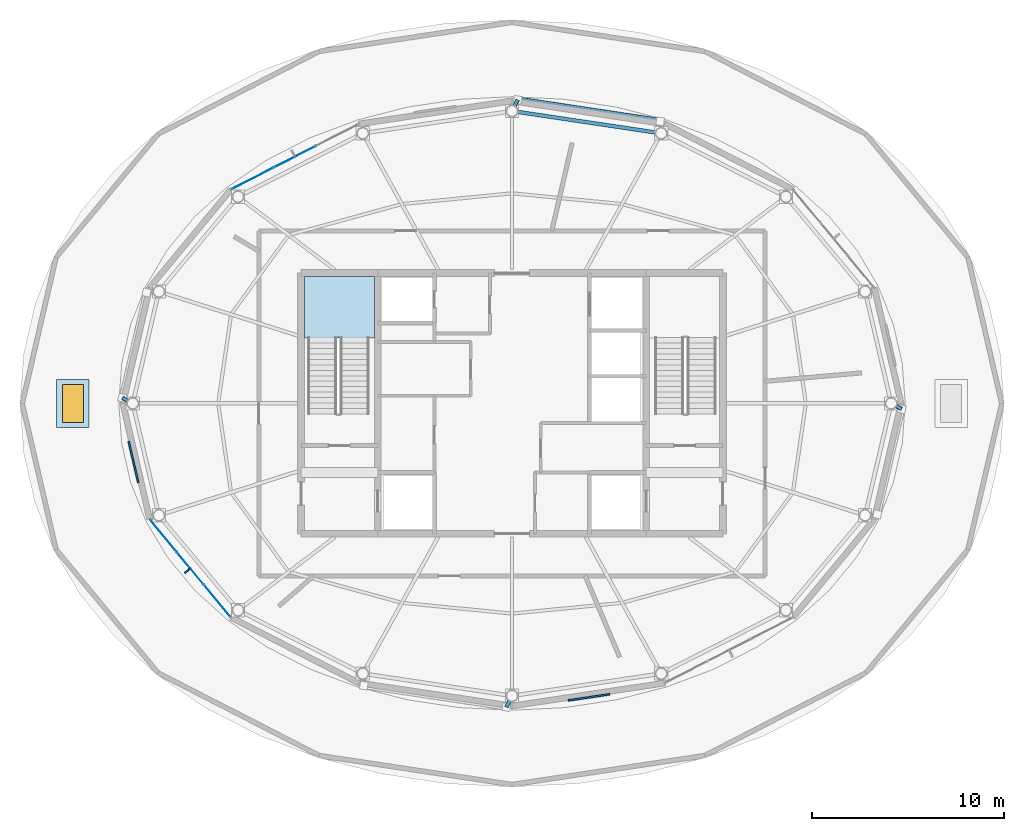
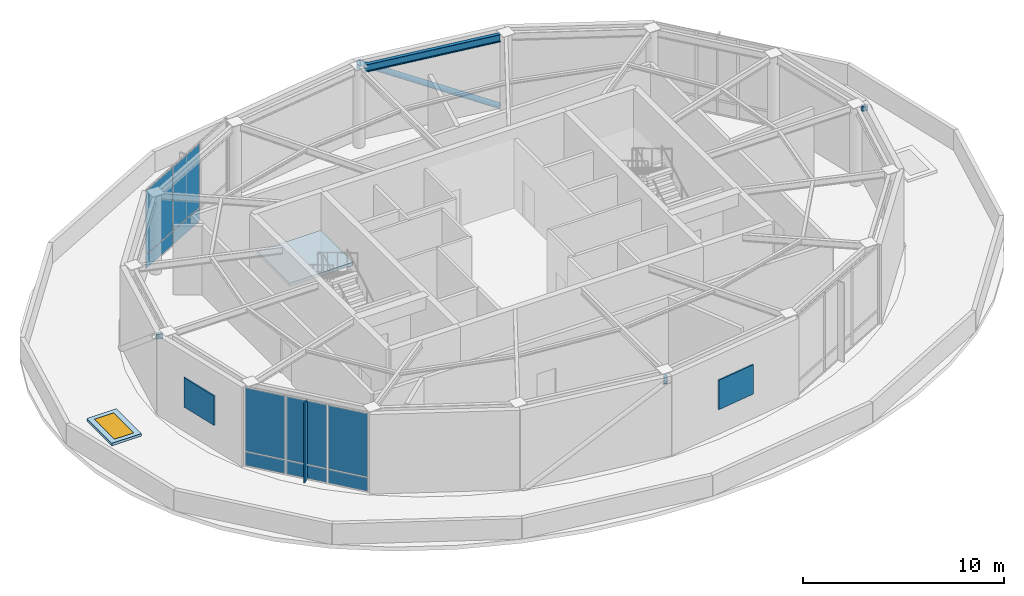
# One storey, part 10 of 15: 13 plates, 5 members, 2 slabs, 1 beam, 1 door, 1 opening, 3 elements without a shape of their own.
"""IFC4 building model written with IfcOpenShell, lengths in metres."""

from ifc_helpers import new_model, si_unit, direction, frame, origin, origin_2d, place, context, subcontext, project, spatial, polyline, rectangle, hollow_rectangle, hollow_circle, i_section, outline, extrude, material, layer, layer_set, material_profile, profile_set, type_object, element, fill, aggregate, save


model = new_model("IFC4")

# Units and contexts
model_context = context("Model", 3, precision=1e-05, world=origin(), true_north=direction((0.0, 1.0)))
body_context = subcontext(model_context, "Body", "Model", "MODEL_VIEW")
ifc_project = project(units=[si_unit("LENGTHUNIT", "METRE"), si_unit("AREAUNIT", "SQUARE_METRE"), si_unit("VOLUMEUNIT", "CUBIC_METRE"), si_unit("PLANEANGLEUNIT", "RADIAN"), si_unit("MASSUNIT", "GRAM", prefix="KILO")], contexts=[model_context])

# Site, building, storey
site_placement = place(None, origin())
site = spatial("IfcSite", under=ifc_project, at=site_placement, CompositionType="ELEMENT")
building_placement = place(site_placement, origin())
building = spatial("IfcBuilding", under=site, at=building_placement, Name="Sarneth Arch Tower", CompositionType="ELEMENT")
storey_placement = place(building_placement, frame((0.0, 0.0, 316.5)))
storey = spatial("IfcBuildingStorey", under=building, at=storey_placement, Name="L82", CompositionType="ELEMENT", Elevation=316.5)

# Beam
ifc_material_1 = material(Name="Steel S355", Category="steel")
ifc_material_profile_1 = material_profile(ifc_material_1, i_section(OverallWidth=0.19189453125, OverallDepth=0.462890625, WebThickness=0.010498046875, FlangeThickness=0.017578125, FilletRadius=0.01806640625, at=origin_2d()), Name="W460x89")
ifc_profile_set_1 = profile_set([ifc_material_profile_1], Name="Steel S355")
beam_type = type_object("IfcBeamType", Name="BM-RAD-460B", PredefinedType="BEAM", material=ifc_profile_set_1)
beam_placement = place(storey_placement, frame((55.481201171875, 56.134033203125, 4.6083984375), z_axis=(-0.989054698722, 0.147549323742, 0.0), x_axis=(-0.147549323742, -0.989054698722, 0.0)))
element("IfcBeam", 1, at=beam_placement, inside=storey, type_object=beam_type, Name="L82 Perimeter spandrel beam 04", PredefinedType="BEAM", context=body_context, shape_type="SweptSolid", body=[
    extrude(i_section(OverallWidth=0.19189453125, OverallDepth=0.462890625, WebThickness=0.010498046875, FlangeThickness=0.017578125, FilletRadius=0.01806640625, at=origin_2d()), origin(), (0.0, 0.0, 1.0), 7.2587890625),
])

# Members
ifc_material_2 = material(Name="Steel S355", Category="steel")
ifc_material_profile_2 = material_profile(ifc_material_2, hollow_rectangle(XDim=0.199951171875, YDim=0.300048828125, WallThickness=0.012451171875, InnerFilletRadius=0.018798828125, OuterFilletRadius=0.03125, at=origin_2d()), Name="RHS300x200x12.5")
ifc_profile_set_2 = profile_set([ifc_material_profile_2], Name="Steel S355")
member_type_1 = type_object("IfcMemberType", Name="MEM-CANT-STRUT", PredefinedType="STRUT", material=ifc_profile_set_2)
member_1_placement = place(storey_placement, frame((48.1240234375, 57.494873046875, 4.562255859375), z_axis=(0.452324513938, 0.891853426349, 0.0), x_axis=(-0.891853426349, 0.452324513938, 0.0)))
element("IfcMember", 2, at=member_1_placement, inside=storey, type_object=member_type_1, Name="L82 Exoskeleton brace node strut 04B", PredefinedType="STRUT", context=body_context, shape_type="SweptSolid", body=[
    extrude(hollow_rectangle(XDim=0.199951171875, YDim=0.300048828125, WallThickness=0.012451171875, InnerFilletRadius=0.018798828125, OuterFilletRadius=0.03125, at=origin_2d()), origin(), (0.0, 0.0, 1.0), 0.381591796875),
])
member_2_placement = place(storey_placement, frame((27.97802734375, 42.1298828125, 4.562255859375), z_axis=(-0.881427170498, 0.472319958405, 0.0), x_axis=(-0.472319958405, -0.881427170498, 0.0)))
element("IfcMember", 3, at=member_2_placement, inside=storey, type_object=member_type_1, Name="L82 Exoskeleton brace node strut 08B", PredefinedType="STRUT", context=body_context, shape_type="SweptSolid", body=[
    extrude(hollow_rectangle(XDim=0.199951171875, YDim=0.300048828125, WallThickness=0.012451171875, InnerFilletRadius=0.018798828125, OuterFilletRadius=0.03125, at=origin_2d()), origin(), (0.0, 0.0, 1.0), 0.34375),
])
member_3_placement = place(storey_placement, frame((47.8759765625, 26.505126953125, 4.562255859375), z_axis=(-0.452324513938, -0.891853426349, 0.0), x_axis=(0.891853426349, -0.452324513938, 0.0)))
element("IfcMember", 4, at=member_3_placement, inside=storey, type_object=member_type_1, Name="L82 Exoskeleton brace node strut 12B", PredefinedType="STRUT", context=body_context, shape_type="SweptSolid", body=[
    extrude(hollow_rectangle(XDim=0.199951171875, YDim=0.300048828125, WallThickness=0.012451171875, InnerFilletRadius=0.018798828125, OuterFilletRadius=0.03125, at=origin_2d()), origin(), (0.0, 0.0, 1.0), 0.381591796875),
])
member_4_placement = place(storey_placement, frame((68.02197265625, 41.8701171875, 4.562255859375), z_axis=(0.881427170498, -0.472319958405, 0.0), x_axis=(0.472319958405, 0.881427170498, 0.0)))
element("IfcMember", 5, at=member_4_placement, inside=storey, type_object=member_type_1, Name="L82 Exoskeleton brace node strut 16B", PredefinedType="STRUT", context=body_context, shape_type="SweptSolid", body=[
    extrude(hollow_rectangle(XDim=0.199951171875, YDim=0.300048828125, WallThickness=0.012451171875, InnerFilletRadius=0.018798828125, OuterFilletRadius=0.03125, at=origin_2d()), origin(), (0.0, 0.0, 1.0), 0.34375),
])
ifc_material_3 = material(Name="Steel S355", Category="steel")
ifc_material_profile_3 = material_profile(ifc_material_3, hollow_circle(Radius=0.162109375, WallThickness=0.012451171875, at=origin_2d()), Name="CHS324x12.5")
ifc_profile_set_3 = profile_set([ifc_material_profile_3], Name="Steel S355")
member_type_2 = type_object("IfcMemberType", Name="MEM-DIAG-BR3", PredefinedType="BRACE", material=ifc_profile_set_3)
member_5_placement = place(storey_placement, frame((55.727294921875, 56.7158203125, 0.02001953125), z_axis=(-0.846255061179, 0.127483225638, 0.517301071535), x_axis=(-0.148963200292, -0.988842740257, 0.0)))
element("IfcMember", 6, at=member_5_placement, inside=storey, type_object=member_type_2, Name="L82 Perimeter frame diagonal 04", PredefinedType="BRACE", context=body_context, shape_type="SweptSolid", body=[
    extrude(hollow_circle(Radius=0.162109375, WallThickness=0.012451171875, at=origin_2d()), origin(), (0.0, 0.0, 1.0), 8.78076171875),
])

# Curtain wall, plates
ifc_material_4 = material(Name="Anodised aluminium Type AA25 and solar-control low-e laminated IGU", Category="aluminium")
ifc_layer_1 = layer(ifc_material_4, 0.18994140625)
ifc_layer_set_1 = layer_set([ifc_layer_1], Name="Anodised aluminium Type AA25 and solar-control low-e laminated IGU")
curtain_wall_type = type_object("IfcCurtainWallType", Name="CW-CROWN-DRUM", PredefinedType="NOTDEFINED", material=ifc_layer_set_1)
curtain_wall_1_placement = place(storey_placement, origin())
curtain_wall_1 = element("IfcCurtainWall", 7, at=curtain_wall_1_placement, inside=storey, type_object=curtain_wall_type, Name="L82 Unitised curtain wall facet 06", PredefinedType="NOTDEFINED")
ifc_material_5 = material(Name="Solar-control low-e laminated IGU", Category="glass")
ifc_layer_2 = layer(ifc_material_5, 0.028076171875)
ifc_layer_set_2 = layer_set([ifc_layer_2], Name="Solar-control low-e laminated IGU")
plate_type_1 = type_object("IfcPlateType", Name="CW-PANEL", PredefinedType="CURTAIN_PANEL", material=ifc_layer_set_2)
plate_1_placement = place(storey_placement, frame((36.6767578125, 54.868408203125, 0.06005859375), z_axis=(0.0, 0.0, 1.0), x_axis=(-0.8899590948, -0.456040359598, 0.0)))
plate_1 = element("IfcPlate", 8, at=plate_1_placement, type_object=plate_type_1, Name="Curtain wall glazed vision pane CW-L82-F06/P01-00", PredefinedType="CURTAIN_PANEL", context=body_context, shape_type="SweptSolid", body=[
    extrude(rectangle(XDim=2.440185546875, YDim=0.028076171875, at=origin_2d()), origin(), (0.0, 0.0, 1.0), 0.81005859375),
])
plate_2_placement = place(storey_placement, frame((36.6767578125, 54.868408203125, 0.929931640625), z_axis=(0.0, 0.0, 1.0), x_axis=(-0.8899590948, -0.456040359598, 0.0)))
plate_2 = element("IfcPlate", 9, at=plate_2_placement, type_object=plate_type_1, Name="Curtain wall glazed vision pane CW-L82-F06/P01-01", PredefinedType="CURTAIN_PANEL", context=body_context, shape_type="SweptSolid", body=[
    extrude(rectangle(XDim=2.440185546875, YDim=0.028076171875, at=origin_2d()), origin(), (0.0, 0.0, 1.0), 3.85009765625),
])
plate_3_placement = place(storey_placement, frame((34.46484375, 53.735107421875, 0.06005859375), z_axis=(0.0, 0.0, 1.0), x_axis=(-0.8899590948, -0.456040359598, 0.0)))
plate_3 = element("IfcPlate", 10, at=plate_3_placement, type_object=plate_type_1, Name="Curtain wall glazed vision pane CW-L82-F06/P02-00", PredefinedType="CURTAIN_PANEL", context=body_context, shape_type="SweptSolid", body=[
    extrude(rectangle(XDim=2.41015625, YDim=0.028076171875, at=origin_2d()), origin(), (0.0, 0.0, 1.0), 0.81005859375),
])
plate_4_placement = place(storey_placement, frame((34.46484375, 53.735107421875, 0.929931640625), z_axis=(0.0, 0.0, 1.0), x_axis=(-0.8899590948, -0.456040359598, 0.0)))
plate_4 = element("IfcPlate", 11, at=plate_4_placement, type_object=plate_type_1, Name="Curtain wall glazed vision pane CW-L82-F06/P02-01", PredefinedType="CURTAIN_PANEL", context=body_context, shape_type="SweptSolid", body=[
    extrude(rectangle(XDim=2.41015625, YDim=0.028076171875, at=origin_2d()), origin(), (0.0, 0.0, 1.0), 3.85009765625),
])
aggregate(curtain_wall_1, [plate_1, plate_2, plate_3, plate_4])

curtain_wall_2_placement = place(storey_placement, origin())
curtain_wall_2 = element("IfcCurtainWall", 12, at=curtain_wall_2_placement, inside=storey, type_object=curtain_wall_type, Name="L82 Unitised curtain wall facet 10", PredefinedType="NOTDEFINED")
plate_5_placement = place(storey_placement, frame((29.818359375, 35.096435546875, 0.06005859375), z_axis=(0.0, 0.0, 1.0), x_axis=(0.637504910728, -0.770446291962, 0.0)))
plate_5 = element("IfcPlate", 13, at=plate_5_placement, type_object=plate_type_1, Name="Curtain wall glazed vision pane CW-L82-F10/P00-00", PredefinedType="CURTAIN_PANEL", context=body_context, shape_type="SweptSolid", body=[
    extrude(rectangle(XDim=2.125, YDim=0.028076171875, at=origin_2d()), origin(), (0.0, 0.0, 1.0), 0.81005859375),
])
plate_6_placement = place(storey_placement, frame((29.818359375, 35.096435546875, 0.929931640625), z_axis=(0.0, 0.0, 1.0), x_axis=(0.637504910728, -0.770446291962, 0.0)))
plate_6 = element("IfcPlate", 14, at=plate_6_placement, type_object=plate_type_1, Name="Curtain wall glazed vision pane CW-L82-F10/P00-01", PredefinedType="CURTAIN_PANEL", context=body_context, shape_type="SweptSolid", body=[
    extrude(rectangle(XDim=2.125, YDim=0.028076171875, at=origin_2d()), origin(), (0.0, 0.0, 1.0), 3.85009765625),
])
plate_7_placement = place(storey_placement, frame((31.220947265625, 33.401611328125, 0.06005859375), z_axis=(0.0, 0.0, 1.0), x_axis=(0.637504910728, -0.770446291962, 0.0)))
plate_7 = element("IfcPlate", 15, at=plate_7_placement, type_object=plate_type_1, Name="Curtain wall glazed vision pane CW-L82-F10/P01-00", PredefinedType="CURTAIN_PANEL", context=body_context, shape_type="SweptSolid", body=[
    extrude(rectangle(XDim=2.155029296875, YDim=0.028076171875, at=origin_2d()), origin(), (0.0, 0.0, 1.0), 0.81005859375),
])
plate_8_placement = place(storey_placement, frame((31.220947265625, 33.401611328125, 0.929931640625), z_axis=(0.0, 0.0, 1.0), x_axis=(0.637504910728, -0.770446291962, 0.0)))
plate_8 = element("IfcPlate", 16, at=plate_8_placement, type_object=plate_type_1, Name="Curtain wall glazed vision pane CW-L82-F10/P01-01", PredefinedType="CURTAIN_PANEL", context=body_context, shape_type="SweptSolid", body=[
    extrude(rectangle(XDim=2.155029296875, YDim=0.028076171875, at=origin_2d()), origin(), (0.0, 0.0, 1.0), 3.85009765625),
])
plate_9_placement = place(storey_placement, frame((32.623291015625, 31.70654296875, 0.06005859375), z_axis=(0.0, 0.0, 1.0), x_axis=(0.637504910728, -0.770446291962, 0.0)))
plate_9 = element("IfcPlate", 17, at=plate_9_placement, type_object=plate_type_1, Name="Curtain wall glazed vision pane CW-L82-F10/P02-00", PredefinedType="CURTAIN_PANEL", context=body_context, shape_type="SweptSolid", body=[
    extrude(rectangle(XDim=2.125, YDim=0.028076171875, at=origin_2d()), origin(), (0.0, 0.0, 1.0), 0.81005859375),
])
plate_10_placement = place(storey_placement, frame((32.623291015625, 31.70654296875, 0.929931640625), z_axis=(0.0, 0.0, 1.0), x_axis=(0.637504910728, -0.770446291962, 0.0)))
plate_10 = element("IfcPlate", 18, at=plate_10_placement, type_object=plate_type_1, Name="Curtain wall glazed vision pane CW-L82-F10/P02-01", PredefinedType="CURTAIN_PANEL", context=body_context, shape_type="SweptSolid", body=[
    extrude(rectangle(XDim=2.125, YDim=0.028076171875, at=origin_2d()), origin(), (0.0, 0.0, 1.0), 3.85009765625),
])
aggregate(curtain_wall_2, [plate_5, plate_6, plate_7, plate_8, plate_9, plate_10])

# Plates
ifc_material_6 = material(Name="Powder-coated Aluminium 6063-T6 stormproof acoustic louvre", Category="aluminium")
ifc_layer_3 = layer(ifc_material_6, 0.094970703125)
ifc_layer_set_3 = layer_set([ifc_layer_3], Name="Powder-coated Aluminium 6063-T6 stormproof acoustic louvre")
plate_type_2 = type_object("IfcPlateType", Name="LOUVRE-PLANT", PredefinedType="SHEET", material=ifc_layer_set_3)
for number, where, z_axis, x_axis, name in (
    (19, (28.257568359375, 38.94677734375, 1.52001953125), (0.0, 0.0, 1.0), (0.2256312381, -0.974212781888, 0.0), "L82 Mechanical louvre 09"),
    (20, (52.01513671875, 26.67236328125, 1.52001953125), (0.0, 0.0, 1.0), (0.988886498745, 0.148672433897, 0.0), "L82 Mechanical louvre 13"),
):
    element("IfcPlate", number, at=place(storey_placement, frame(where, z_axis=z_axis, x_axis=x_axis)), inside=storey, type_object=plate_type_2, Name=name, PredefinedType="SHEET", context=body_context, shape_type="SweptSolid", body=[
        extrude(rectangle(XDim=2.199951171875, YDim=0.094970703125, at=origin_2d()), origin(), (0.0, 0.0, 1.0), 1.800048828125),
    ])
ifc_material_7 = material(Name="Extruded glazed terracotta baguette fin on Aluminium 6063-T6 carrier", Category="masonry")
ifc_layer_4 = layer(ifc_material_7, 0.080078125)
ifc_layer_set_4 = layer_set([ifc_layer_4], Name="Extruded glazed terracotta baguette fin on Aluminium 6063-T6 carrier")
plate_type_3 = type_object("IfcPlateType", Name="SHADE-TERRA-FIN", PredefinedType="SHEET", material=ifc_layer_set_4)
plate_11_placement = place(storey_placement, frame((31.08984375, 33.293212890625, 0.009765625), z_axis=(0.0, 0.0, 1.0), x_axis=(-0.770401979567, -0.63755845997, 0.0)))
element("IfcPlate", 21, at=plate_11_placement, inside=storey, type_object=plate_type_3, Name="L82 Terracotta vertical shading fin 10", PredefinedType="SHEET", context=body_context, shape_type="SweptSolid", body=[
    extrude(rectangle(XDim=0.419921875, YDim=0.080078125, at=origin_2d()), origin(), (0.0, 0.0, 1.0), 4.820068359375),
])

# Slab, opening, door
ifc_material_8 = material(Name="Concrete C50/60", Category="concrete")
ifc_layer_5 = layer(ifc_material_8, 0.159912109375)
ifc_layer_set_5 = layer_set([ifc_layer_5], Name="Concrete C50/60")
slab_type_1 = type_object("IfcSlabType", Name="SLAB-KERB-160", PredefinedType="ROOF", material=ifc_layer_set_5)
slab_1_placement = place(storey_placement, origin())
slab_1 = element("IfcSlab", 22, at=slab_1_placement, inside=storey, type_object=slab_type_1, Name="L82 Roof hatch upstand kerb HATCH-L82-SET-W", PredefinedType="ROOF", context=body_context, shape_type="SweptSolid", body=[
    extrude(outline(polyline([(24.25, 40.75), (25.949951171875, 40.75), (25.949951171875, 43.25), (24.25, 43.25), (24.25, 40.75)]), holes=[polyline([(24.550048828125, 41.0), (25.64990234375, 41.0), (25.64990234375, 43.0), (24.550048828125, 43.0), (24.550048828125, 41.0)])]), origin(), (0.0, 0.0, 1.0), 0.159912109375),
])
opening_placement = place(slab_1_placement, frame((25.10009765625, 42.0, 0.0)))
opening = element("IfcOpeningElement", 23, at=opening_placement, cuts=slab_1, Name="Opening RH-1", PredefinedType="OPENING", context=body_context, shape_type="SweptSolid", body=[
    extrude(rectangle(XDim=1.10009765625, YDim=2.0, at=origin_2d()), origin(), (0.0, 0.0, 1.0), 0.159912109375),
])
ifc_material_9 = material(Name="Thermally broken Aluminium 6063-T6 and laminated safety glass", Category="aluminium")
door_type = type_object("IfcDoorType", Name="DR-ROOF-HATCH", OperationType="SINGLE_SWING_LEFT", PredefinedType="TRAPDOOR", material=ifc_material_9)
door_placement = place(opening_placement, frame((0.0, 0.0, 0.10986328125)))
door = element("IfcDoor", 24, at=door_placement, inside=storey, type_object=door_type, Name="L82 Maintenance Roof Access Hatch HATCH-L82-SET-W", OperationType="SINGLE_SWING_LEFT", OverallHeight=2.0, OverallWidth=1.10009765625, PredefinedType="TRAPDOOR", context=body_context, shape_type="SweptSolid", body=[
    extrude(rectangle(XDim=1.10009765625, YDim=2.0, at=origin_2d()), origin(), (0.0, 0.0, 1.0), 0.050048828125),
])
fill(opening, door)

# Stair, slab
ifc_material_10 = material(Name="Concrete C50/60", Category="concrete")
stair_type = type_object("IfcStairType", Name="STAIR-CORE-RC", PredefinedType="HALF_TURN_STAIR", material=ifc_material_10)
stair_placement = place(storey_placement, origin())
stair = element("IfcStair", 25, at=stair_placement, inside=storey, type_object=stair_type, Name="L82 Core Exit Stair 1", PredefinedType="HALF_TURN_STAIR")
ifc_material_11 = material(Name="Concrete C50/60", Category="concrete")
ifc_layer_6 = layer(ifc_material_11, 0.199951171875)
ifc_layer_set_6 = layer_set([ifc_layer_6], Name="Concrete C50/60")
slab_type_2 = type_object("IfcSlabType", Name="SLAB-LANDING-200", PredefinedType="LANDING", material=ifc_layer_set_6)
slab_2_placement = place(storey_placement, frame((0.0, 0.0, 2.35009765625)))
slab_2 = element("IfcSlab", 26, at=slab_2_placement, type_object=slab_type_2, Name="ST-1 landing 1", PredefinedType="LANDING", context=body_context, shape_type="SweptSolid", body=[
    extrude(outline(polyline([(37.175048828125, 45.409912109375), (40.824951171875, 45.409912109375), (40.824951171875, 48.625), (37.175048828125, 48.625), (37.175048828125, 45.409912109375)])), origin(), (0.0, 0.0, 1.0), 0.199951171875),
])
aggregate(stair, [slab_2])

save(model, "model.ifc")
